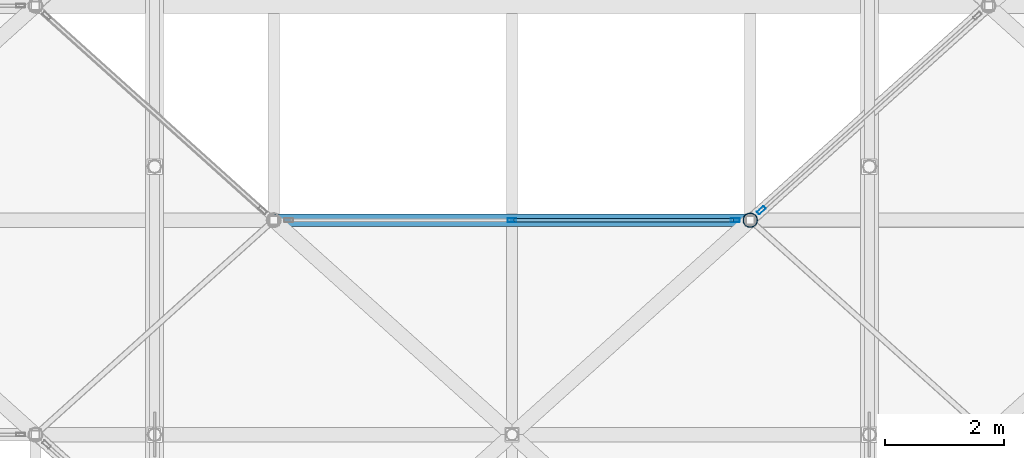
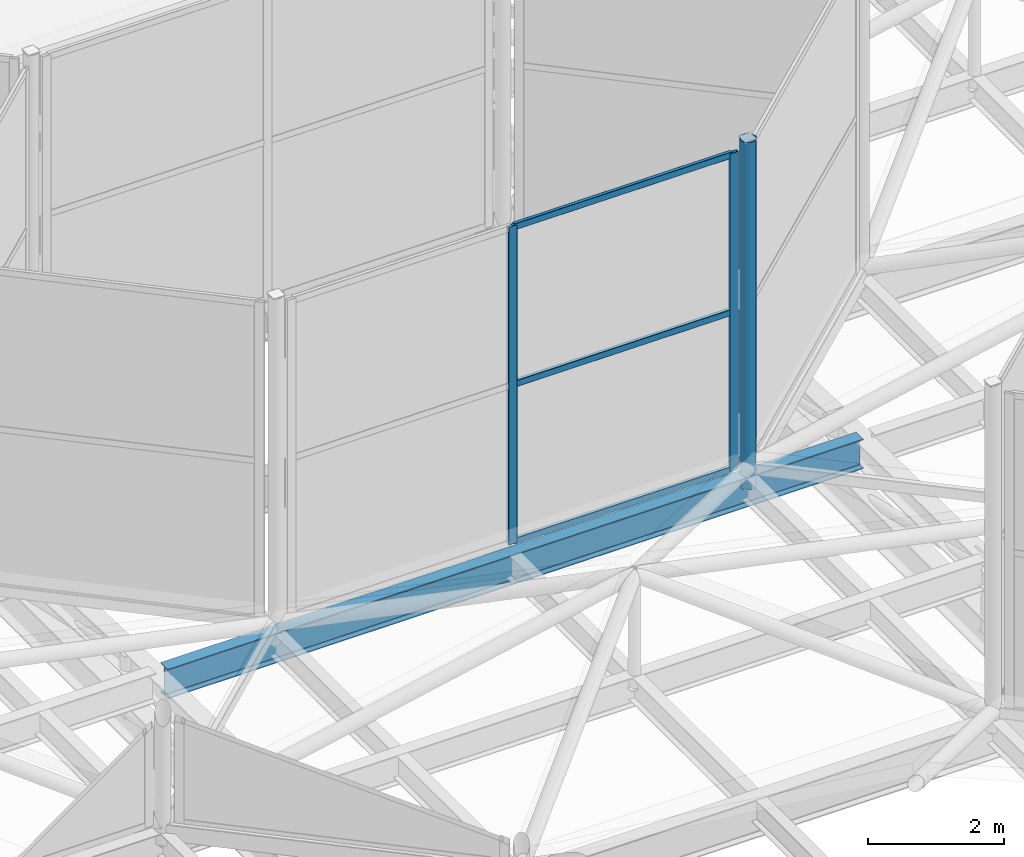
# One storey, part 87 of 239: 7 members, 1 beam, 2 elements without a shape of their own.
"""IFC4 building model written with IfcOpenShell, lengths in metres."""

from ifc_helpers import new_model, si_unit, direction, frame, origin, origin_2d, place, context, subcontext, project, spatial, hollow_rectangle, hollow_circle, i_section, extrude, material, layer, layer_set, material_profile, profile_set, type_object, element, aggregate, save


model = new_model("IFC4")

# Units and contexts
model_context = context("Model", 3, precision=1e-05, world=origin(), true_north=direction((0.0, 1.0)))
body_context = subcontext(model_context, "Body", "Model", "MODEL_VIEW")
ifc_project = project(units=[si_unit("LENGTHUNIT", "METRE"), si_unit("AREAUNIT", "SQUARE_METRE"), si_unit("VOLUMEUNIT", "CUBIC_METRE"), si_unit("PLANEANGLEUNIT", "RADIAN"), si_unit("MASSUNIT", "GRAM", prefix="KILO")], contexts=[model_context])

# Site, building, storey
site_placement = place(None, origin())
site = spatial("IfcSite", under=ifc_project, at=site_placement, CompositionType="ELEMENT")
building_placement = place(site_placement, origin())
building = spatial("IfcBuilding", under=site, at=building_placement, Name="Dunvalen Ferry Terminal", CompositionType="ELEMENT")
storey_placement = place(building_placement, frame((0.0, 0.0, 9.840087890625)))
storey = spatial("IfcBuildingStorey", under=building, at=storey_placement, Name="L02", CompositionType="ELEMENT", Elevation=9.840087890625)

# Curtain wall, members
ifc_material_1 = material(Name="Anodised marine aluminium and solar-control glazing", Category="aluminium")
ifc_layer_1 = layer(ifc_material_1, 0.179931640625, Name="Anodised marine aluminium and solar-control glazing")
ifc_layer_set_1 = layer_set([ifc_layer_1], Name="Anodised marine aluminium and solar-control glazing")
curtain_wall_type_1 = type_object("IfcCurtainWallType", Name="ENV-CW-SYS-06", PredefinedType="NOTDEFINED", material=ifc_layer_set_1)
curtain_wall_1_placement = place(storey_placement, origin())
curtain_wall_1 = element("IfcCurtainWall", 1, at=curtain_wall_1_placement, inside=storey, type_object=curtain_wall_type_1, Name="L02 Curtain Wall CW-HEX-21-SK-2", PredefinedType="NOTDEFINED")
ifc_material_2 = material(Name="Anodised marine aluminium EN AW-6063 T6", Category="aluminium")
ifc_material_profile_1 = material_profile(ifc_material_2, hollow_rectangle(XDim=0.06005859375, YDim=0.14990234375, WallThickness=0.00341796875, InnerFilletRadius=0.00341796875, OuterFilletRadius=0.007080078125, at=origin_2d()), Name="Anodised marine aluminium EN AW-6063 T6")
ifc_profile_set_1 = profile_set([ifc_material_profile_1], Name="Anodised marine aluminium EN AW-6063 T6")
member_type_1 = type_object("IfcMemberType", Name="ENV-CW-MUL-3", PredefinedType="MULLION", material=ifc_profile_set_1)
member_1_placement = place(storey_placement, frame((42.0, 72.0, 1.139892578125), z_axis=(0.0, 0.0, 1.0), x_axis=(0.0, 1.0, 0.0)))
member_1 = element("IfcMember", 2, at=member_1_placement, type_object=member_type_1, Name="CW-06 mullion 2", PredefinedType="MULLION", context=body_context, shape_type="SweptSolid", body=[
    extrude(hollow_rectangle(XDim=0.06005859375, YDim=0.14990234375, WallThickness=0.00341796875, InnerFilletRadius=0.00341796875, OuterFilletRadius=0.007080078125, at=origin_2d()), origin(), (0.0, 0.0, 1.0), 5.699951171875),
])
member_2_placement = place(storey_placement, frame((45.75, 72.0, 1.139892578125), z_axis=(0.0, 0.0, 1.0), x_axis=(0.0, 1.0, 0.0)))
member_2 = element("IfcMember", 3, at=member_2_placement, type_object=member_type_1, Name="CW-06 mullion 3", PredefinedType="MULLION", context=body_context, shape_type="SweptSolid", body=[
    extrude(hollow_rectangle(XDim=0.06005859375, YDim=0.14990234375, WallThickness=0.00341796875, InnerFilletRadius=0.00341796875, OuterFilletRadius=0.007080078125, at=origin_2d()), origin(), (0.0, 0.0, 1.0), 5.699951171875),
])

# Curtain wall, member
ifc_layer_2 = layer(ifc_material_1, 0.179931640625, Name="Anodised marine aluminium and solar-control glazing")
ifc_layer_set_2 = layer_set([ifc_layer_2], Name="Anodised marine aluminium and solar-control glazing")
curtain_wall_type_2 = type_object("IfcCurtainWallType", Name="ENV-CW-SYS-05", PredefinedType="NOTDEFINED", material=ifc_layer_set_2)
curtain_wall_2_placement = place(storey_placement, origin())
curtain_wall_2 = element("IfcCurtainWall", 4, at=curtain_wall_2_placement, inside=storey, type_object=curtain_wall_type_2, Name="L02 Curtain Wall CW-HEX-21-SK-3", PredefinedType="NOTDEFINED")
member_3_placement = place(storey_placement, frame((46.185791015625, 72.167236328125, 1.139892578125), z_axis=(0.0, 0.0, 1.0), x_axis=(-0.668953550894, 0.74330420875, 0.0)))
member_3 = element("IfcMember", 5, at=member_3_placement, type_object=member_type_1, Name="CW-05 mullion 1", PredefinedType="MULLION", context=body_context, shape_type="SweptSolid", body=[
    extrude(hollow_rectangle(XDim=0.06005859375, YDim=0.14990234375, WallThickness=0.00341796875, InnerFilletRadius=0.00341796875, OuterFilletRadius=0.007080078125, at=origin_2d()), origin(), (0.0, 0.0, 1.0), 5.699951171875),
])
aggregate(curtain_wall_2, [member_3])

# Member
ifc_material_profile_2 = material_profile(ifc_material_2, hollow_rectangle(XDim=0.06005859375, YDim=0.114990234375, WallThickness=0.0029296875, InnerFilletRadius=0.0029296875, OuterFilletRadius=0.006103515625, at=origin_2d()), Name="Anodised marine aluminium EN AW-6063 T6")
ifc_profile_set_2 = profile_set([ifc_material_profile_2], Name="Anodised marine aluminium EN AW-6063 T6")
member_type_2 = type_object("IfcMemberType", Name="ENV-CW-TRN-3", PredefinedType="USERDEFINED", material=ifc_profile_set_2)
member_4_placement = place(storey_placement, frame((42.030029296875, 72.0, 1.169921875), z_axis=(1.0, 0.0, 0.0), x_axis=(0.0, 1.0, 0.0)))
member_4 = element("IfcMember", 6, at=member_4_placement, type_object=member_type_2, Name="CW-06 transom 2.1", ObjectType="TRANSOM", PredefinedType="USERDEFINED", context=body_context, shape_type="SweptSolid", body=[
    extrude(hollow_rectangle(XDim=0.06005859375, YDim=0.114990234375, WallThickness=0.0029296875, InnerFilletRadius=0.0029296875, OuterFilletRadius=0.006103515625, at=origin_2d()), origin(), (0.0, 0.0, 1.0), 3.68994140625),
])

member_5_placement = place(storey_placement, frame((42.030029296875, 72.0, 3.989990234375), z_axis=(1.0, 0.0, 0.0), x_axis=(0.0, 1.0, 0.0)))
member_5 = element("IfcMember", 7, at=member_5_placement, type_object=member_type_2, Name="CW-06 transom 2.2", ObjectType="TRANSOM", PredefinedType="USERDEFINED", context=body_context, shape_type="SweptSolid", body=[
    extrude(hollow_rectangle(XDim=0.06005859375, YDim=0.114990234375, WallThickness=0.0029296875, InnerFilletRadius=0.0029296875, OuterFilletRadius=0.006103515625, at=origin_2d()), origin(), (0.0, 0.0, 1.0), 3.68994140625),
])

member_6_placement = place(storey_placement, frame((42.030029296875, 72.0, 6.809814453125), z_axis=(1.0, 0.0, 0.0), x_axis=(0.0, 1.0, 0.0)))
member_6 = element("IfcMember", 8, at=member_6_placement, type_object=member_type_2, Name="CW-06 transom 2.3", ObjectType="TRANSOM", PredefinedType="USERDEFINED", context=body_context, shape_type="SweptSolid", body=[
    extrude(hollow_rectangle(XDim=0.06005859375, YDim=0.114990234375, WallThickness=0.0029296875, InnerFilletRadius=0.0029296875, OuterFilletRadius=0.006103515625, at=origin_2d()), origin(), (0.0, 0.0, 1.0), 3.68994140625),
])

aggregate(curtain_wall_1, [member_1, member_2, member_4, member_5, member_6])

# Beam
ifc_material_3 = material(Name="Steel S355", Category="steel")
ifc_material_profile_3 = material_profile(ifc_material_3, i_section(OverallWidth=0.209228515625, OverallDepth=0.533203125, WebThickness=0.010009765625, FlangeThickness=0.015625, FilletRadius=0.0126953125, at=origin_2d()), Name="Steel S355")
ifc_profile_set_3 = profile_set([ifc_material_profile_3], Name="Steel S355")
beam_type = type_object("IfcBeamType", Name="STR-BM-UKB533", PredefinedType="BEAM", material=ifc_profile_set_3)
beam_placement = place(storey_placement, frame((36.10009765625, 72.0, 0.7333984375), z_axis=(1.0, 0.0, 0.0), x_axis=(0.0, 1.0, 0.0)))
element("IfcBeam", 9, at=beam_placement, inside=storey, type_object=beam_type, Name="Departure Hall Spine Girder B3.07", PredefinedType="BEAM", context=body_context, shape_type="SweptSolid", body=[
    extrude(i_section(OverallWidth=0.209228515625, OverallDepth=0.533203125, WebThickness=0.010009765625, FlangeThickness=0.015625, FilletRadius=0.0126953125, at=origin_2d()), origin(), (0.0, 0.0, 1.0), 11.7998046875),
])

# Member
ifc_material_profile_4 = material_profile(ifc_material_3, hollow_circle(Radius=0.122314453125, WallThickness=0.010009765625, at=origin_2d()), Name="Steel S355")
ifc_profile_set_4 = profile_set([ifc_material_profile_4], Name="Steel S355")
member_type_3 = type_object("IfcMemberType", Name="STR-MB-CHS244", PredefinedType="STRUT", material=ifc_profile_set_4)
member_7_placement = place(storey_placement, frame((46.0, 72.0, 0.77001953125), z_axis=(0.0, 0.0, 1.0), x_axis=(1.0, 0.0, 0.0)))
element("IfcMember", 10, at=member_7_placement, inside=storey, type_object=member_type_3, Name="HEX-21 Skylight Lantern Corner Strut 3", PredefinedType="STRUT", context=body_context, shape_type="SweptSolid", body=[
    extrude(hollow_circle(Radius=0.122314453125, WallThickness=0.010009765625, at=origin_2d()), origin(), (0.0, 0.0, 1.0), 6.22998046875),
])

save(model, "model.ifc")
